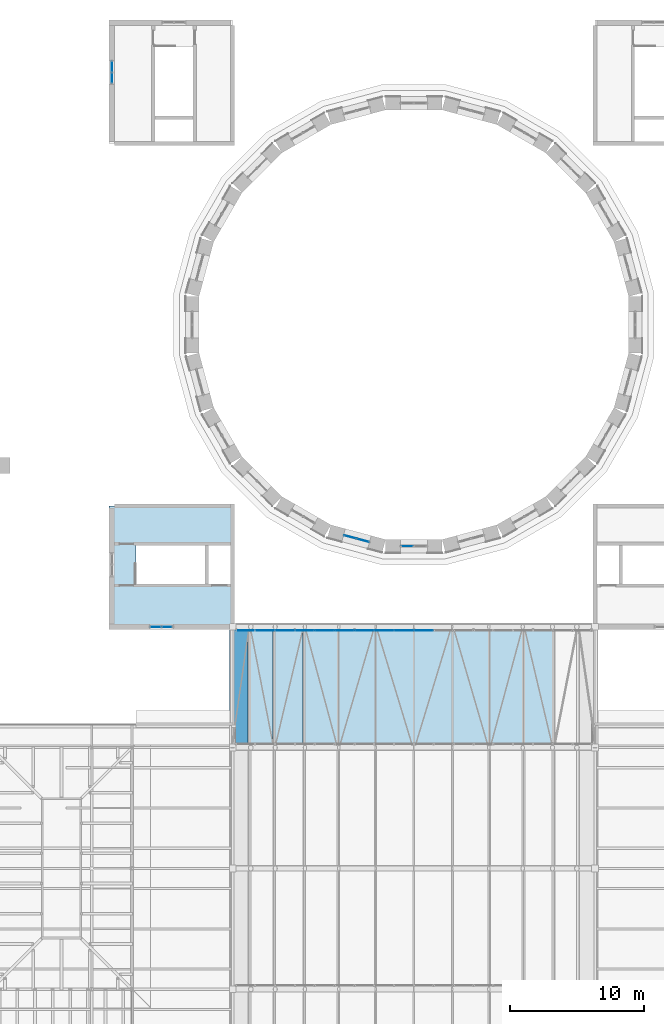
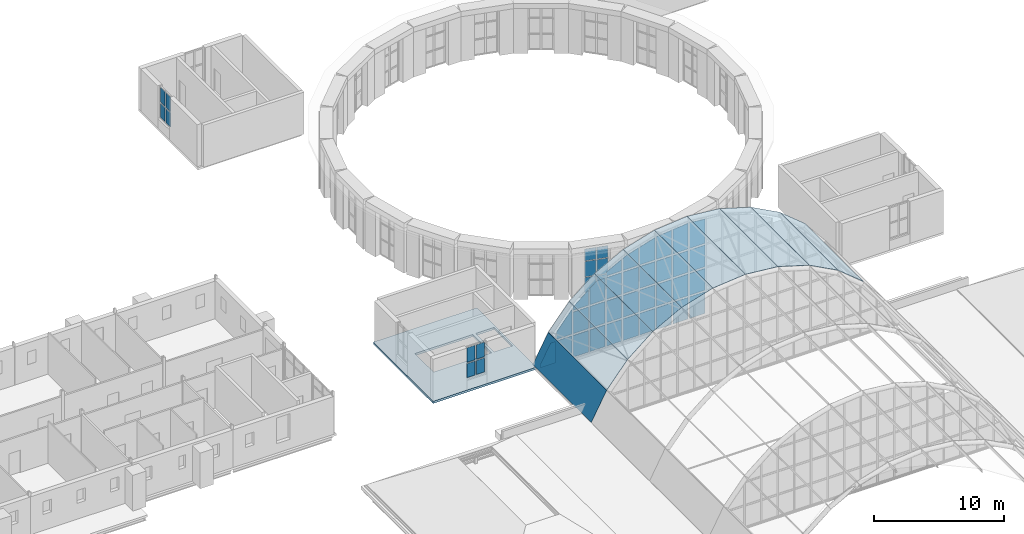
# One storey, part 82 of 121: 58 plates, 1 slab, 5 elements without a shape of their own.
"""IFC4 building model written with IfcOpenShell, lengths in metres."""

from ifc_helpers import new_model, si_unit, direction, frame, origin, origin_2d, place, context, subcontext, project, spatial, polyline, rectangle, outline, extrude, material, layer, layer_set, type_object, element, aggregate, save


model = new_model("IFC4")

# Units and contexts
model_context = context("Model", 3, precision=1e-05, world=origin(), true_north=direction((0.0, 1.0)))
body_context = subcontext(model_context, "Body", "Model", "MODEL_VIEW")
ifc_project = project(units=[si_unit("LENGTHUNIT", "METRE"), si_unit("AREAUNIT", "SQUARE_METRE"), si_unit("VOLUMEUNIT", "CUBIC_METRE"), si_unit("PLANEANGLEUNIT", "RADIAN"), si_unit("MASSUNIT", "GRAM", prefix="KILO")], contexts=[model_context])

# Site, building, storey
site_placement = place(None, origin())
site = spatial("IfcSite", under=ifc_project, at=site_placement, CompositionType="ELEMENT")
building_placement = place(site_placement, origin())
building = spatial("IfcBuilding", under=site, at=building_placement, Name="Golden Quay Civic Hall", CompositionType="ELEMENT")
storey_placement = place(building_placement, frame((0.0, 0.0, 18.60009765625)))
storey = spatial("IfcBuildingStorey", under=building, at=storey_placement, Name="L04", CompositionType="ELEMENT", Elevation=18.60009765625)

# Slab
ifc_material_1 = material(Name="Concrete C35/45", Category="concrete")
ifc_layer_1 = layer(ifc_material_1, 0.199951171875)
ifc_layer_set_1 = layer_set([ifc_layer_1], Name="Composite floor 200")
slab_type = type_object("IfcSlabType", Name="Composite floor 200", PredefinedType="FLOOR", material=ifc_layer_set_1)
slab_placement = place(storey_placement, frame((0.0, 0.0, -0.2001953125)))
element("IfcSlab", 1, at=slab_placement, inside=storey, type_object=slab_type, Name="Slab", PredefinedType="FLOOR", context=body_context, shape_type="SweptSolid", body=[
    extrude(outline(polyline([(72.0, 72.0), (72.0, 62.800048828125), (62.800048828125, 62.800048828125), (62.800048828125, 72.0), (72.0, 72.0)]), holes=[polyline([(69.949951171875, 69.050048828125), (64.804931640625, 69.050048828125), (64.804931640625, 66.199951171875), (69.949951171875, 66.199951171875), (69.949951171875, 69.050048828125)]), polyline([(71.85009765625, 69.050048828125), (70.199951171875, 69.050048828125), (70.199951171875, 66.199951171875), (71.85009765625, 66.199951171875), (71.85009765625, 69.050048828125)])]), origin(), (0.0, 0.0, 1.0), 0.2001953125),
])

# Curtain wall, plates
ifc_material_2 = material(Name="Glass, laminated double glazed", Category="glass")
ifc_layer_2 = layer(ifc_material_2, 0.199951171875)
ifc_layer_set_2 = layer_set([ifc_layer_2], Name="Glazed drum clerestory curtain wall")
curtain_wall_type_1 = type_object("IfcCurtainWallType", Name="Glazed drum clerestory curtain wall", PredefinedType="NOTDEFINED", material=ifc_layer_set_2)
curtain_wall_1_placement = place(storey_placement, origin())
curtain_wall_1 = element("IfcCurtainWall", 2, at=curtain_wall_1_placement, inside=storey, type_object=curtain_wall_type_1, Name="Clerestory curtain wall 17", PredefinedType="NOTDEFINED")
ifc_material_3 = material(Name="Glass, laminated double glazed", Category="glass")
ifc_layer_3 = layer(ifc_material_3, 0.028076171875)
ifc_layer_set_3 = layer_set([ifc_layer_3], Name="Double glazed curtain wall panel 28")
plate_type_1 = type_object("IfcPlateType", Name="Double glazed curtain wall panel 28", PredefinedType="CURTAIN_PANEL", material=ifc_layer_set_3)
plate_1_placement = place(storey_placement, frame((80.760986328125, 69.687744140625, -0.14013671875), z_axis=(0.0, 0.0, 1.0), x_axis=(0.965928857556, -0.258807731996, 0.0)))
plate_1 = element("IfcPlate", 3, at=plate_1_placement, type_object=plate_type_1, Name="CW5 panel 1.1", PredefinedType="CURTAIN_PANEL", context=body_context, shape_type="SweptSolid", body=[
    extrude(rectangle(XDim=0.909912109375, YDim=0.028076171875, at=origin_2d()), origin(), (0.0, 0.0, 1.0), 1.409912109375),
])
plate_2_placement = place(storey_placement, frame((80.760986328125, 69.687744140625, 1.329833984375), z_axis=(0.0, 0.0, 1.0), x_axis=(0.965928857556, -0.258807731996, 0.0)))
plate_2 = element("IfcPlate", 4, at=plate_2_placement, type_object=plate_type_1, Name="CW5 panel 1.2", PredefinedType="CURTAIN_PANEL", context=body_context, shape_type="SweptSolid", body=[
    extrude(rectangle(XDim=0.909912109375, YDim=0.028076171875, at=origin_2d()), origin(), (0.0, 0.0, 1.0), 1.43994140625),
])
plate_3_placement = place(storey_placement, frame((80.760986328125, 69.687744140625, 2.830078125), z_axis=(0.0, 0.0, 1.0), x_axis=(0.965928857556, -0.258807731996, 0.0)))
plate_3 = element("IfcPlate", 5, at=plate_3_placement, type_object=plate_type_1, Name="CW5 panel 1.3", PredefinedType="CURTAIN_PANEL", context=body_context, shape_type="SweptSolid", body=[
    extrude(rectangle(XDim=0.909912109375, YDim=0.028076171875, at=origin_2d()), origin(), (0.0, 0.0, 1.0), 1.110107421875),
])
plate_4_placement = place(storey_placement, frame((81.697998046875, 69.436767578125, -0.14013671875), z_axis=(0.0, 0.0, 1.0), x_axis=(0.965928857556, -0.258807731996, 0.0)))
plate_4 = element("IfcPlate", 6, at=plate_4_placement, type_object=plate_type_1, Name="CW5 panel 2.1", PredefinedType="CURTAIN_PANEL", context=body_context, shape_type="SweptSolid", body=[
    extrude(rectangle(XDim=0.909912109375, YDim=0.028076171875, at=origin_2d()), origin(), (0.0, 0.0, 1.0), 1.409912109375),
])
plate_5_placement = place(storey_placement, frame((81.697998046875, 69.436767578125, 1.329833984375), z_axis=(0.0, 0.0, 1.0), x_axis=(0.965928857556, -0.258807731996, 0.0)))
plate_5 = element("IfcPlate", 7, at=plate_5_placement, type_object=plate_type_1, Name="CW5 panel 2.2", PredefinedType="CURTAIN_PANEL", context=body_context, shape_type="SweptSolid", body=[
    extrude(rectangle(XDim=0.909912109375, YDim=0.028076171875, at=origin_2d()), origin(), (0.0, 0.0, 1.0), 1.43994140625),
])
plate_6_placement = place(storey_placement, frame((81.697998046875, 69.436767578125, 2.830078125), z_axis=(0.0, 0.0, 1.0), x_axis=(0.965928857556, -0.258807731996, 0.0)))
plate_6 = element("IfcPlate", 8, at=plate_6_placement, type_object=plate_type_1, Name="CW5 panel 2.3", PredefinedType="CURTAIN_PANEL", context=body_context, shape_type="SweptSolid", body=[
    extrude(rectangle(XDim=0.909912109375, YDim=0.028076171875, at=origin_2d()), origin(), (0.0, 0.0, 1.0), 1.110107421875),
])
aggregate(curtain_wall_1, [plate_1, plate_2, plate_3, plate_4, plate_5, plate_6])

# Curtain wall, plate
curtain_wall_2_placement = place(storey_placement, origin())
curtain_wall_2 = element("IfcCurtainWall", 9, at=curtain_wall_2_placement, inside=storey, type_object=curtain_wall_type_1, Name="Clerestory curtain wall 18", PredefinedType="NOTDEFINED")
plate_7_placement = place(storey_placement, frame((85.014892578125, 69.0, -0.14013671875), z_axis=(0.0, 0.0, 1.0), x_axis=(1.0, 0.0, 0.0)))
plate_7 = element("IfcPlate", 10, at=plate_7_placement, type_object=plate_type_1, Name="CW5 panel 1.1", PredefinedType="CURTAIN_PANEL", context=body_context, shape_type="SweptSolid", body=[
    extrude(rectangle(XDim=0.909912109375, YDim=0.028076171875, at=origin_2d()), origin(), (0.0, 0.0, 1.0), 1.409912109375),
])
aggregate(curtain_wall_2, [plate_7])

# Curtain wall, plates
ifc_material_4 = material(Name="Fire-resisting glass and steel", Category="steel")
curtain_wall_type_2 = type_object("IfcCurtainWallType", Name="Fire-resisting glazed stair curtain wall EI 120", PredefinedType="NOTDEFINED", material=ifc_material_4)
curtain_wall_3_placement = place(storey_placement, origin())
curtain_wall_3 = element("IfcCurtainWall", 11, at=curtain_wall_3_placement, inside=storey, type_object=curtain_wall_type_2, Name="CW4 stair curtain wall", PredefinedType="NOTDEFINED")
ifc_material_5 = material(Name="Fire-resisting laminated glass", Category="glass")
ifc_layer_4 = layer(ifc_material_5, 0.0400390625)
ifc_layer_set_4 = layer_set([ifc_layer_4], Name="Fire-resisting glazed stair panel 40")
plate_type_2 = type_object("IfcPlateType", Name="Fire-resisting glazed stair panel 40", PredefinedType="CURTAIN_PANEL", material=ifc_layer_set_4)
plate_8_placement = place(storey_placement, frame((66.280029296875, 63.0, 1.02001953125), z_axis=(0.0, 0.0, 1.0), x_axis=(1.0, 0.0, 0.0)))
plate_8 = element("IfcPlate", 12, at=plate_8_placement, type_object=plate_type_2, Name="CW4 panel 1.1", PredefinedType="CURTAIN_PANEL", context=body_context, shape_type="SweptSolid", body=[
    extrude(rectangle(XDim=0.719970703125, YDim=0.0400390625, at=origin_2d()), origin(), (0.0, 0.0, 1.0), 1.320068359375),
])
plate_9_placement = place(storey_placement, frame((66.280029296875, 63.0, 2.4599609375), z_axis=(0.0, 0.0, 1.0), x_axis=(1.0, 0.0, 0.0)))
plate_9 = element("IfcPlate", 13, at=plate_9_placement, type_object=plate_type_2, Name="CW4 panel 1.2", PredefinedType="CURTAIN_PANEL", context=body_context, shape_type="SweptSolid", body=[
    extrude(rectangle(XDim=0.719970703125, YDim=0.0400390625, at=origin_2d()), origin(), (0.0, 0.0, 1.0), 1.3701171875),
])
plate_10_placement = place(storey_placement, frame((67.1201171875, 63.0, 1.02001953125), z_axis=(0.0, 0.0, 1.0), x_axis=(1.0, 0.0, 0.0)))
plate_10 = element("IfcPlate", 14, at=plate_10_placement, type_object=plate_type_2, Name="CW4 panel 2.1", PredefinedType="CURTAIN_PANEL", context=body_context, shape_type="SweptSolid", body=[
    extrude(rectangle(XDim=0.719970703125, YDim=0.0400390625, at=origin_2d()), origin(), (0.0, 0.0, 1.0), 1.320068359375),
])
plate_11_placement = place(storey_placement, frame((67.1201171875, 63.0, 2.4599609375), z_axis=(0.0, 0.0, 1.0), x_axis=(1.0, 0.0, 0.0)))
plate_11 = element("IfcPlate", 15, at=plate_11_placement, type_object=plate_type_2, Name="CW4 panel 2.2", PredefinedType="CURTAIN_PANEL", context=body_context, shape_type="SweptSolid", body=[
    extrude(rectangle(XDim=0.719970703125, YDim=0.0400390625, at=origin_2d()), origin(), (0.0, 0.0, 1.0), 1.3701171875),
])
aggregate(curtain_wall_3, [plate_8, plate_9, plate_10, plate_11])

curtain_wall_4_placement = place(storey_placement, origin())
curtain_wall_4 = element("IfcCurtainWall", 16, at=curtain_wall_4_placement, inside=storey, type_object=curtain_wall_type_2, Name="CW4 stair curtain wall", PredefinedType="NOTDEFINED")
plate_12_placement = place(storey_placement, frame((63.0, 103.8798828125, 1.02001953125), z_axis=(0.0, 0.0, 1.0), x_axis=(0.0, 1.0, 0.0)))
plate_12 = element("IfcPlate", 17, at=plate_12_placement, type_object=plate_type_2, Name="CW4 panel 1.1", PredefinedType="CURTAIN_PANEL", context=body_context, shape_type="SweptSolid", body=[
    extrude(rectangle(XDim=0.719970703125, YDim=0.0400390625, at=origin_2d()), origin(), (0.0, 0.0, 1.0), 1.320068359375),
])
plate_13_placement = place(storey_placement, frame((63.0, 103.8798828125, 2.4599609375), z_axis=(0.0, 0.0, 1.0), x_axis=(0.0, 1.0, 0.0)))
plate_13 = element("IfcPlate", 18, at=plate_13_placement, type_object=plate_type_2, Name="CW4 panel 1.2", PredefinedType="CURTAIN_PANEL", context=body_context, shape_type="SweptSolid", body=[
    extrude(rectangle(XDim=0.719970703125, YDim=0.0400390625, at=origin_2d()), origin(), (0.0, 0.0, 1.0), 1.3701171875),
])
plate_14_placement = place(storey_placement, frame((63.0, 104.719970703125, 1.02001953125), z_axis=(0.0, 0.0, 1.0), x_axis=(0.0, 1.0, 0.0)))
plate_14 = element("IfcPlate", 19, at=plate_14_placement, type_object=plate_type_2, Name="CW4 panel 2.1", PredefinedType="CURTAIN_PANEL", context=body_context, shape_type="SweptSolid", body=[
    extrude(rectangle(XDim=0.719970703125, YDim=0.0400390625, at=origin_2d()), origin(), (0.0, 0.0, 1.0), 1.320068359375),
])
plate_15_placement = place(storey_placement, frame((63.0, 104.719970703125, 2.4599609375), z_axis=(0.0, 0.0, 1.0), x_axis=(0.0, 1.0, 0.0)))
plate_15 = element("IfcPlate", 20, at=plate_15_placement, type_object=plate_type_2, Name="CW4 panel 2.2", PredefinedType="CURTAIN_PANEL", context=body_context, shape_type="SweptSolid", body=[
    extrude(rectangle(XDim=0.719970703125, YDim=0.0400390625, at=origin_2d()), origin(), (0.0, 0.0, 1.0), 1.3701171875),
])
aggregate(curtain_wall_4, [plate_12, plate_13, plate_14, plate_15])

ifc_material_6 = material(Name="Glass and aluminium", Category="aluminium")
curtain_wall_type_3 = type_object("IfcCurtainWallType", Name="Glazed curtain wall 1500 module", PredefinedType="NOTDEFINED", material=ifc_material_6)
curtain_wall_5_placement = place(storey_placement, origin())
curtain_wall_5 = element("IfcCurtainWall", 21, at=curtain_wall_5_placement, inside=storey, type_object=curtain_wall_type_3, Name="Curtain wall tympanum north", PredefinedType="NOTDEFINED")
ifc_material_7 = material(Name="Laminated glass", Category="glass")
ifc_layer_5 = layer(ifc_material_7, 0.028076171875)
ifc_layer_set_5 = layer_set([ifc_layer_5], Name="Laminated glass panel 28")
plate_type_3 = type_object("IfcPlateType", Name="Laminated glass panel 28", PredefinedType="CURTAIN_PANEL", material=ifc_layer_set_5)
plate_16_placement = place(storey_placement, frame((73.61767578125, 62.743896484375, -0.130126953125), z_axis=(0.0, 1.0, 0.0), x_axis=(-1.0, 0.0, 0.0)))
plate_16 = element("IfcPlate", 22, at=plate_16_placement, type_object=plate_type_3, Name="Tympanum glass 1.1", PredefinedType="CURTAIN_PANEL", context=body_context, shape_type="SweptSolid", body=[
    extrude(outline(polyline([(0.0, 0.0), (1.297607421875, 0.0), (1.297607421875, 0.37646484375), (0.4150390625, 2.02001953125), (0.0, 2.02001953125), (0.0, 0.0)])), origin(), (0.0, 0.0, -1.0), 0.028076171875),
])
plate_17_placement = place(storey_placement, frame((75.095458984375, 62.743896484375, -0.130126953125), z_axis=(0.0, 1.0, 0.0), x_axis=(-1.0, 0.0, 0.0)))
plate_17 = element("IfcPlate", 23, at=plate_17_placement, type_object=plate_type_3, Name="Tympanum glass 2.1", PredefinedType="CURTAIN_PANEL", context=body_context, shape_type="SweptSolid", body=[
    extrude(outline(polyline([(0.0, 0.0), (1.357666015625, 0.0), (1.357666015625, 2.02001953125), (0.0, 2.02001953125), (0.0, 0.0)])), origin(), (0.0, 0.0, -1.0), 0.028076171875),
])
plate_18_placement = place(storey_placement, frame((75.095458984375, 62.743896484375, 2.06982421875), z_axis=(0.0, 1.0, 0.0), x_axis=(-1.0, 0.0, 0.0)))
plate_18 = element("IfcPlate", 24, at=plate_18_placement, type_object=plate_type_3, Name="Tympanum glass 2.2", PredefinedType="CURTAIN_PANEL", context=body_context, shape_type="SweptSolid", body=[
    extrude(outline(polyline([(0.0, 0.0), (1.357666015625, 0.0), (1.357666015625, 0.677978515625), (0.0, 2.3271484375), (0.0, 0.0)])), origin(), (0.0, 0.0, -1.0), 0.028076171875),
])
plate_19_placement = place(storey_placement, frame((76.5732421875, 62.743896484375, -0.130126953125), z_axis=(0.0, 1.0, 0.0), x_axis=(-1.0, 0.0, 0.0)))
plate_19 = element("IfcPlate", 25, at=plate_19_placement, type_object=plate_type_3, Name="Tympanum glass 3.1", PredefinedType="CURTAIN_PANEL", context=body_context, shape_type="SweptSolid", body=[
    extrude(outline(polyline([(0.0, 0.0), (1.357666015625, 0.0), (1.357666015625, 2.02001953125), (0.0, 2.02001953125), (0.0, 0.0)])), origin(), (0.0, 0.0, -1.0), 0.028076171875),
])
plate_20_placement = place(storey_placement, frame((76.5732421875, 62.743896484375, 2.06982421875), z_axis=(0.0, 1.0, 0.0), x_axis=(-1.0, 0.0, 0.0)))
plate_20 = element("IfcPlate", 26, at=plate_20_placement, type_object=plate_type_3, Name="Tympanum glass 3.2", PredefinedType="CURTAIN_PANEL", context=body_context, shape_type="SweptSolid", body=[
    extrude(outline(polyline([(0.0, 0.0), (1.357666015625, 0.0), (1.357666015625, 2.02001953125), (0.0, 2.02001953125), (0.0, 0.0)])), origin(), (0.0, 0.0, -1.0), 0.028076171875),
])
plate_21_placement = place(storey_placement, frame((76.5732421875, 62.743896484375, 4.27001953125), z_axis=(0.0, 1.0, 0.0), x_axis=(-1.0, 0.0, 0.0)))
plate_21 = element("IfcPlate", 27, at=plate_21_placement, type_object=plate_type_3, Name="Tympanum glass 3.3", PredefinedType="CURTAIN_PANEL", context=body_context, shape_type="SweptSolid", body=[
    extrude(outline(polyline([(0.0, 0.0), (1.357666015625, 0.0), (1.357666015625, 0.31298828125), (0.0, 1.424560546875), (0.0, 0.0)])), origin(), (0.0, 0.0, -1.0), 0.028076171875),
])
plate_22_placement = place(storey_placement, frame((78.051025390625, 62.743896484375, -0.130126953125), z_axis=(0.0, 1.0, 0.0), x_axis=(-1.0, 0.0, 0.0)))
plate_22 = element("IfcPlate", 28, at=plate_22_placement, type_object=plate_type_3, Name="Tympanum glass 4.1", PredefinedType="CURTAIN_PANEL", context=body_context, shape_type="SweptSolid", body=[
    extrude(outline(polyline([(0.0, 0.0), (1.357666015625, 0.0), (1.357666015625, 2.02001953125), (0.0, 2.02001953125), (0.0, 0.0)])), origin(), (0.0, 0.0, -1.0), 0.028076171875),
])
plate_23_placement = place(storey_placement, frame((78.051025390625, 62.743896484375, 2.06982421875), z_axis=(0.0, 1.0, 0.0), x_axis=(-1.0, 0.0, 0.0)))
plate_23 = element("IfcPlate", 29, at=plate_23_placement, type_object=plate_type_3, Name="Tympanum glass 4.2", PredefinedType="CURTAIN_PANEL", context=body_context, shape_type="SweptSolid", body=[
    extrude(outline(polyline([(0.0, 0.0), (1.357666015625, 0.0), (1.357666015625, 2.02001953125), (0.0, 2.02001953125), (0.0, 0.0)])), origin(), (0.0, 0.0, -1.0), 0.028076171875),
])
plate_24_placement = place(storey_placement, frame((78.051025390625, 62.743896484375, 4.27001953125), z_axis=(0.0, 1.0, 0.0), x_axis=(-1.0, 0.0, 0.0)))
plate_24 = element("IfcPlate", 30, at=plate_24_placement, type_object=plate_type_3, Name="Tympanum glass 4.3", PredefinedType="CURTAIN_PANEL", context=body_context, shape_type="SweptSolid", body=[
    extrude(outline(polyline([(0.0, 0.0), (1.357666015625, 0.0), (1.357666015625, 1.522705078125), (0.75048828125, 2.019775390625), (0.0, 2.019775390625), (0.0, 0.0)])), origin(), (0.0, 0.0, -1.0), 0.028076171875),
])
plate_25_placement = place(storey_placement, frame((79.52880859375, 62.743896484375, -0.130126953125), z_axis=(0.0, 1.0, 0.0), x_axis=(-1.0, 0.0, 0.0)))
plate_25 = element("IfcPlate", 31, at=plate_25_placement, type_object=plate_type_3, Name="Tympanum glass 5.1", PredefinedType="CURTAIN_PANEL", context=body_context, shape_type="SweptSolid", body=[
    extrude(outline(polyline([(0.0, 0.0), (1.357666015625, 0.0), (1.357666015625, 2.02001953125), (0.0, 2.02001953125), (0.0, 0.0)])), origin(), (0.0, 0.0, -1.0), 0.028076171875),
])
plate_26_placement = place(storey_placement, frame((79.52880859375, 62.743896484375, 2.06982421875), z_axis=(0.0, 1.0, 0.0), x_axis=(-1.0, 0.0, 0.0)))
plate_26 = element("IfcPlate", 32, at=plate_26_placement, type_object=plate_type_3, Name="Tympanum glass 5.2", PredefinedType="CURTAIN_PANEL", context=body_context, shape_type="SweptSolid", body=[
    extrude(outline(polyline([(0.0, 0.0), (1.357666015625, 0.0), (1.357666015625, 2.02001953125), (0.0, 2.02001953125), (0.0, 0.0)])), origin(), (0.0, 0.0, -1.0), 0.028076171875),
])
plate_27_placement = place(storey_placement, frame((79.52880859375, 62.743896484375, 4.27001953125), z_axis=(0.0, 1.0, 0.0), x_axis=(-1.0, 0.0, 0.0)))
plate_27 = element("IfcPlate", 33, at=plate_27_placement, type_object=plate_type_3, Name="Tympanum glass 5.3", PredefinedType="CURTAIN_PANEL", context=body_context, shape_type="SweptSolid", body=[
    extrude(outline(polyline([(0.0, 0.0), (1.357666015625, 0.0), (1.357666015625, 2.019775390625), (0.0, 2.019775390625), (0.0, 0.0)])), origin(), (0.0, 0.0, -1.0), 0.028076171875),
])
plate_28_placement = place(storey_placement, frame((79.52880859375, 62.743896484375, 6.469970703125), z_axis=(0.0, 1.0, 0.0), x_axis=(-1.0, 0.0, 0.0)))
plate_28 = element("IfcPlate", 34, at=plate_28_placement, type_object=plate_type_3, Name="Tympanum glass 5.4", PredefinedType="CURTAIN_PANEL", context=body_context, shape_type="SweptSolid", body=[
    extrude(outline(polyline([(0.0, 0.0), (1.357666015625, 0.0), (1.357666015625, 0.34130859375), (0.0, 1.065673828125), (0.0, 0.0)])), origin(), (0.0, 0.0, -1.0), 0.028076171875),
])
plate_29_placement = place(storey_placement, frame((81.006591796875, 62.743896484375, -0.130126953125), z_axis=(0.0, 1.0, 0.0), x_axis=(-1.0, 0.0, 0.0)))
plate_29 = element("IfcPlate", 35, at=plate_29_placement, type_object=plate_type_3, Name="Tympanum glass 6.1", PredefinedType="CURTAIN_PANEL", context=body_context, shape_type="SweptSolid", body=[
    extrude(outline(polyline([(0.0, 0.0), (1.357666015625, 0.0), (1.357666015625, 2.02001953125), (0.0, 2.02001953125), (0.0, 0.0)])), origin(), (0.0, 0.0, -1.0), 0.028076171875),
])
plate_30_placement = place(storey_placement, frame((81.006591796875, 62.743896484375, 2.06982421875), z_axis=(0.0, 1.0, 0.0), x_axis=(-1.0, 0.0, 0.0)))
plate_30 = element("IfcPlate", 36, at=plate_30_placement, type_object=plate_type_3, Name="Tympanum glass 6.2", PredefinedType="CURTAIN_PANEL", context=body_context, shape_type="SweptSolid", body=[
    extrude(outline(polyline([(0.0, 0.0), (1.357666015625, 0.0), (1.357666015625, 2.02001953125), (0.0, 2.02001953125), (0.0, 0.0)])), origin(), (0.0, 0.0, -1.0), 0.028076171875),
])
plate_31_placement = place(storey_placement, frame((81.006591796875, 62.743896484375, 4.27001953125), z_axis=(0.0, 1.0, 0.0), x_axis=(-1.0, 0.0, 0.0)))
plate_31 = element("IfcPlate", 37, at=plate_31_placement, type_object=plate_type_3, Name="Tympanum glass 6.3", PredefinedType="CURTAIN_PANEL", context=body_context, shape_type="SweptSolid", body=[
    extrude(outline(polyline([(0.0, 0.0), (1.357666015625, 0.0), (1.357666015625, 2.019775390625), (0.0, 2.019775390625), (0.0, 0.0)])), origin(), (0.0, 0.0, -1.0), 0.028076171875),
])
plate_32_placement = place(storey_placement, frame((81.006591796875, 62.743896484375, 6.469970703125), z_axis=(0.0, 1.0, 0.0), x_axis=(-1.0, 0.0, 0.0)))
plate_32 = element("IfcPlate", 38, at=plate_32_placement, type_object=plate_type_3, Name="Tympanum glass 6.4", PredefinedType="CURTAIN_PANEL", context=body_context, shape_type="SweptSolid", body=[
    extrude(outline(polyline([(0.0, 0.0), (1.357666015625, 0.0), (1.357666015625, 1.129638671875), (1.093994140625, 1.270263671875), (0.0, 1.619384765625), (0.0, 0.0)])), origin(), (0.0, 0.0, -1.0), 0.028076171875),
])
plate_33_placement = place(storey_placement, frame((82.484375, 62.743896484375, -0.130126953125), z_axis=(0.0, 1.0, 0.0), x_axis=(-1.0, 0.0, 0.0)))
plate_33 = element("IfcPlate", 39, at=plate_33_placement, type_object=plate_type_3, Name="Tympanum glass 7.1", PredefinedType="CURTAIN_PANEL", context=body_context, shape_type="SweptSolid", body=[
    extrude(outline(polyline([(0.0, 0.0), (1.357666015625, 0.0), (1.357666015625, 2.02001953125), (0.0, 2.02001953125), (0.0, 0.0)])), origin(), (0.0, 0.0, -1.0), 0.028076171875),
])
plate_34_placement = place(storey_placement, frame((82.484375, 62.743896484375, 2.06982421875), z_axis=(0.0, 1.0, 0.0), x_axis=(-1.0, 0.0, 0.0)))
plate_34 = element("IfcPlate", 40, at=plate_34_placement, type_object=plate_type_3, Name="Tympanum glass 7.2", PredefinedType="CURTAIN_PANEL", context=body_context, shape_type="SweptSolid", body=[
    extrude(outline(polyline([(0.0, 0.0), (1.357666015625, 0.0), (1.357666015625, 2.02001953125), (0.0, 2.02001953125), (0.0, 0.0)])), origin(), (0.0, 0.0, -1.0), 0.028076171875),
])
plate_35_placement = place(storey_placement, frame((82.484375, 62.743896484375, 4.27001953125), z_axis=(0.0, 1.0, 0.0), x_axis=(-1.0, 0.0, 0.0)))
plate_35 = element("IfcPlate", 41, at=plate_35_placement, type_object=plate_type_3, Name="Tympanum glass 7.3", PredefinedType="CURTAIN_PANEL", context=body_context, shape_type="SweptSolid", body=[
    extrude(outline(polyline([(0.0, 0.0), (1.357666015625, 0.0), (1.357666015625, 2.019775390625), (0.0, 2.019775390625), (0.0, 0.0)])), origin(), (0.0, 0.0, -1.0), 0.028076171875),
])
plate_36_placement = place(storey_placement, frame((82.484375, 62.743896484375, 6.469970703125), z_axis=(0.0, 1.0, 0.0), x_axis=(-1.0, 0.0, 0.0)))
plate_36 = element("IfcPlate", 42, at=plate_36_placement, type_object=plate_type_3, Name="Tympanum glass 7.4", PredefinedType="CURTAIN_PANEL", context=body_context, shape_type="SweptSolid", body=[
    extrude(outline(polyline([(0.0, 0.0), (1.357666015625, 0.0), (1.357666015625, 1.65576171875), (0.0, 2.06689453125), (0.0, 0.0)])), origin(), (0.0, 0.0, -1.0), 0.028076171875),
])
plate_37_placement = place(storey_placement, frame((83.962158203125, 62.743896484375, -0.130126953125), z_axis=(0.0, 1.0, 0.0), x_axis=(-1.0, 0.0, 0.0)))
plate_37 = element("IfcPlate", 43, at=plate_37_placement, type_object=plate_type_3, Name="Tympanum glass 8.1", PredefinedType="CURTAIN_PANEL", context=body_context, shape_type="SweptSolid", body=[
    extrude(outline(polyline([(0.0, 0.0), (1.357666015625, 0.0), (1.357666015625, 2.02001953125), (0.0, 2.02001953125), (0.0, 0.0)])), origin(), (0.0, 0.0, -1.0), 0.028076171875),
])
plate_38_placement = place(storey_placement, frame((83.962158203125, 62.743896484375, 2.06982421875), z_axis=(0.0, 1.0, 0.0), x_axis=(-1.0, 0.0, 0.0)))
plate_38 = element("IfcPlate", 44, at=plate_38_placement, type_object=plate_type_3, Name="Tympanum glass 8.2", PredefinedType="CURTAIN_PANEL", context=body_context, shape_type="SweptSolid", body=[
    extrude(outline(polyline([(0.0, 0.0), (1.357666015625, 0.0), (1.357666015625, 2.02001953125), (0.0, 2.02001953125), (0.0, 0.0)])), origin(), (0.0, 0.0, -1.0), 0.028076171875),
])
plate_39_placement = place(storey_placement, frame((83.962158203125, 62.743896484375, 4.27001953125), z_axis=(0.0, 1.0, 0.0), x_axis=(-1.0, 0.0, 0.0)))
plate_39 = element("IfcPlate", 45, at=plate_39_placement, type_object=plate_type_3, Name="Tympanum glass 8.3", PredefinedType="CURTAIN_PANEL", context=body_context, shape_type="SweptSolid", body=[
    extrude(outline(polyline([(0.0, 0.0), (1.357666015625, 0.0), (1.357666015625, 2.019775390625), (0.0, 2.019775390625), (0.0, 0.0)])), origin(), (0.0, 0.0, -1.0), 0.028076171875),
])
plate_40_placement = place(storey_placement, frame((83.962158203125, 62.743896484375, 6.469970703125), z_axis=(0.0, 1.0, 0.0), x_axis=(-1.0, 0.0, 0.0)))
plate_40 = element("IfcPlate", 46, at=plate_40_placement, type_object=plate_type_3, Name="Tympanum glass 8.4", PredefinedType="CURTAIN_PANEL", context=body_context, shape_type="SweptSolid", body=[
    extrude(outline(polyline([(0.0, 0.0), (1.357666015625, 0.0), (1.357666015625, 2.103271484375), (1.310302734375, 2.11767578125), (0.0, 2.254638671875), (0.0, 0.0)])), origin(), (0.0, 0.0, -1.0), 0.028076171875),
])
plate_41_placement = place(storey_placement, frame((85.43994140625, 62.743896484375, -0.130126953125), z_axis=(0.0, 1.0, 0.0), x_axis=(-1.0, 0.0, 0.0)))
plate_41 = element("IfcPlate", 47, at=plate_41_placement, type_object=plate_type_3, Name="Tympanum glass 9.1", PredefinedType="CURTAIN_PANEL", context=body_context, shape_type="SweptSolid", body=[
    extrude(outline(polyline([(0.0, 0.0), (1.357666015625, 0.0), (1.357666015625, 2.02001953125), (0.0, 2.02001953125), (0.0, 0.0)])), origin(), (0.0, 0.0, -1.0), 0.028076171875),
])
plate_42_placement = place(storey_placement, frame((85.43994140625, 62.743896484375, 2.06982421875), z_axis=(0.0, 1.0, 0.0), x_axis=(-1.0, 0.0, 0.0)))
plate_42 = element("IfcPlate", 48, at=plate_42_placement, type_object=plate_type_3, Name="Tympanum glass 9.2", PredefinedType="CURTAIN_PANEL", context=body_context, shape_type="SweptSolid", body=[
    extrude(outline(polyline([(0.0, 0.0), (1.357666015625, 0.0), (1.357666015625, 2.02001953125), (0.0, 2.02001953125), (0.0, 0.0)])), origin(), (0.0, 0.0, -1.0), 0.028076171875),
])
plate_43_placement = place(storey_placement, frame((85.43994140625, 62.743896484375, 4.27001953125), z_axis=(0.0, 1.0, 0.0), x_axis=(-1.0, 0.0, 0.0)))
plate_43 = element("IfcPlate", 49, at=plate_43_placement, type_object=plate_type_3, Name="Tympanum glass 9.3", PredefinedType="CURTAIN_PANEL", context=body_context, shape_type="SweptSolid", body=[
    extrude(outline(polyline([(0.0, 0.0), (1.357666015625, 0.0), (1.357666015625, 2.019775390625), (0.0, 2.019775390625), (0.0, 0.0)])), origin(), (0.0, 0.0, -1.0), 0.028076171875),
])
plate_44_placement = place(storey_placement, frame((85.43994140625, 62.743896484375, 6.469970703125), z_axis=(0.0, 1.0, 0.0), x_axis=(-1.0, 0.0, 0.0)))
plate_44 = element("IfcPlate", 50, at=plate_44_placement, type_object=plate_type_3, Name="Tympanum glass 9.4", PredefinedType="CURTAIN_PANEL", context=body_context, shape_type="SweptSolid", body=[
    extrude(outline(polyline([(0.0, 0.0), (1.357666015625, 0.0), (1.357666015625, 2.266357421875), (0.0, 2.39990234375), (0.0, 0.0)])), origin(), (0.0, 0.0, -1.0), 0.028076171875),
])
plate_45_placement = place(storey_placement, frame((86.917724609375, 62.743896484375, -0.130126953125), z_axis=(0.0, 1.0, 0.0), x_axis=(-1.0, 0.0, 0.0)))
plate_45 = element("IfcPlate", 51, at=plate_45_placement, type_object=plate_type_3, Name="Tympanum glass 10.1", PredefinedType="CURTAIN_PANEL", context=body_context, shape_type="SweptSolid", body=[
    extrude(outline(polyline([(0.0, 0.0), (1.357666015625, 0.0), (1.357666015625, 2.02001953125), (0.0, 2.02001953125), (0.0, 0.0)])), origin(), (0.0, 0.0, -1.0), 0.028076171875),
])
plate_46_placement = place(storey_placement, frame((86.917724609375, 62.743896484375, 2.06982421875), z_axis=(0.0, 1.0, 0.0), x_axis=(-1.0, 0.0, 0.0)))
plate_46 = element("IfcPlate", 52, at=plate_46_placement, type_object=plate_type_3, Name="Tympanum glass 10.2", PredefinedType="CURTAIN_PANEL", context=body_context, shape_type="SweptSolid", body=[
    extrude(outline(polyline([(0.0, 0.0), (1.357666015625, 0.0), (1.357666015625, 2.02001953125), (0.0, 2.02001953125), (0.0, 0.0)])), origin(), (0.0, 0.0, -1.0), 0.028076171875),
])
plate_47_placement = place(storey_placement, frame((86.917724609375, 62.743896484375, 4.27001953125), z_axis=(0.0, 1.0, 0.0), x_axis=(-1.0, 0.0, 0.0)))
plate_47 = element("IfcPlate", 53, at=plate_47_placement, type_object=plate_type_3, Name="Tympanum glass 10.3", PredefinedType="CURTAIN_PANEL", context=body_context, shape_type="SweptSolid", body=[
    extrude(outline(polyline([(0.0, 0.0), (1.357666015625, 0.0), (1.357666015625, 2.019775390625), (0.0, 2.019775390625), (0.0, 0.0)])), origin(), (0.0, 0.0, -1.0), 0.028076171875),
])
plate_48_placement = place(storey_placement, frame((86.917724609375, 62.743896484375, 6.469970703125), z_axis=(0.0, 1.0, 0.0), x_axis=(-1.0, 0.0, 0.0)))
plate_48 = element("IfcPlate", 54, at=plate_48_placement, type_object=plate_type_3, Name="Tympanum glass 10.4", PredefinedType="CURTAIN_PANEL", context=body_context, shape_type="SweptSolid", body=[
    extrude(outline(polyline([(0.0, 0.0), (1.357666015625, 0.0), (1.357666015625, 2.39990234375), (0.0, 2.266357421875), (0.0, 0.0)])), origin(), (0.0, 0.0, -1.0), 0.028076171875),
])
aggregate(curtain_wall_5, [plate_16, plate_17, plate_18, plate_19, plate_20, plate_21, plate_22, plate_23, plate_24, plate_25, plate_26, plate_27, plate_28, plate_29, plate_30, plate_31, plate_32, plate_33, plate_34, plate_35, plate_36, plate_37, plate_38, plate_39, plate_40, plate_41, plate_42, plate_43, plate_44, plate_45, plate_46, plate_47, plate_48])

# Plates
ifc_material_8 = material(Name="Laminated glass", Category="glass")
ifc_layer_6 = layer(ifc_material_8, 0.030029296875)
ifc_layer_set_6 = layer_set([ifc_layer_6], Name="Laminated vault glazing 30")
plate_type_4 = type_object("IfcPlateType", Name="Laminated vault glazing 30", PredefinedType="SHEET", material=ifc_layer_set_6)
plate_49_placement = place(storey_placement, frame((71.78564453125, 54.0, 0.1923828125), z_axis=(-0.881024300134, 0.0, 0.47307101219), x_axis=(0.47307101219, 0.0, 0.881024300134)))
element("IfcPlate", 55, at=plate_49_placement, inside=storey, type_object=plate_type_4, Name="Vault glazing 7.1", PredefinedType="SHEET", context=body_context, shape_type="SweptSolid", body=[
    extrude(outline(polyline([(0.0, 0.0), (2.9018956964211977, 0.0), (2.9018956964211977, 9.0), (0.0, 9.0), (0.0, 0.0)])), origin(), (0.0, 0.0, -1.0), 0.030029296875),
])
plate_50_placement = place(storey_placement, frame((73.16162109375, 54.0, 2.75390625), z_axis=(-0.7720006594, 0.0, 0.635621728614), x_axis=(0.635621728614, 0.0, 0.7720006594)))
element("IfcPlate", 56, at=plate_50_placement, inside=storey, type_object=plate_type_4, Name="Vault glazing 7.2", PredefinedType="SHEET", context=body_context, shape_type="SweptSolid", body=[
    extrude(outline(polyline([(0.0, 0.0), (2.901855520100459, 0.0), (2.901855520100459, 9.0), (0.0, 9.0), (0.0, 0.0)])), origin(), (0.0, 0.0, -1.0), 0.030029296875),
])
plate_51_placement = place(storey_placement, frame((75.01025390625, 54.0, 4.998291015625), z_axis=(-0.633448519494, 0.0, 0.77378483647), x_axis=(0.77378483647, 0.0, 0.633448519494)))
element("IfcPlate", 57, at=plate_51_placement, inside=storey, type_object=plate_type_4, Name="Vault glazing 7.3", PredefinedType="SHEET", context=body_context, shape_type="SweptSolid", body=[
    extrude(outline(polyline([(0.0, 0.0), (2.901790294014807, 0.0), (2.901790294014807, 9.0), (0.0, 9.0), (0.0, 0.0)])), origin(), (0.0, 0.0, -1.0), 0.030029296875),
])
plate_52_placement = place(storey_placement, frame((77.260498046875, 54.0, 6.839599609375), z_axis=(-0.470649370087, 0.0, 0.882320333233), x_axis=(0.882320333233, 0.0, 0.470649370087)))
element("IfcPlate", 58, at=plate_52_placement, inside=storey, type_object=plate_type_4, Name="Vault glazing 7.4", PredefinedType="SHEET", context=body_context, shape_type="SweptSolid", body=[
    extrude(outline(polyline([(0.0, 0.0), (2.901783669649179, 0.0), (2.901783669649179, 9.0), (0.0, 9.0), (0.0, 0.0)])), origin(), (0.0, 0.0, -1.0), 0.030029296875),
])
plate_53_placement = place(storey_placement, frame((79.826171875, 54.0, 8.20751953125), z_axis=(-0.289755197495, 0.0, 0.957100791727), x_axis=(0.957100791727, 0.0, 0.289755197495)))
element("IfcPlate", 59, at=plate_53_placement, inside=storey, type_object=plate_type_4, Name="Vault glazing 7.5", PredefinedType="SHEET", context=body_context, shape_type="SweptSolid", body=[
    extrude(outline(polyline([(0.0, 0.0), (2.9018299577295465, 0.0), (2.9018299577295465, 9.0), (0.0, 9.0), (0.0, 0.0)])), origin(), (0.0, 0.0, -1.0), 0.030029296875),
])
for number, where, z_axis, x_axis, name in (
    (60, (82.609130859375, 54.0, 9.049560546875), (-0.09784592374, 0.0, 0.995201575163), (0.995201575163, 0.0, 0.09784592374), "Vault glazing 7.6"),
    (61, (85.5029296875, 54.0, 9.33349609375), (0.09784592374, 0.0, 0.995201575163), (0.995201575163, 0.0, -0.09784592374), "Vault glazing 7.7"),
):
    element("IfcPlate", number, at=place(storey_placement, frame(where, z_axis=z_axis, x_axis=x_axis)), inside=storey, type_object=plate_type_4, Name=name, PredefinedType="SHEET", context=body_context, shape_type="SweptSolid", body=[
        extrude(outline(polyline([(0.0, 0.0), (2.901863828592777, 0.0), (2.901863828592777, 9.0), (0.0, 9.0), (0.0, 0.0)])), origin(), (0.0, 0.0, -1.0), 0.030029296875),
    ])
plate_54_placement = place(storey_placement, frame((88.396484375, 54.0, 9.04833984375), z_axis=(0.289755197495, 0.0, 0.957100791727), x_axis=(0.957100791727, 0.0, -0.289755197495)))
element("IfcPlate", 62, at=plate_54_placement, inside=storey, type_object=plate_type_4, Name="Vault glazing 7.8", PredefinedType="SHEET", context=body_context, shape_type="SweptSolid", body=[
    extrude(outline(polyline([(0.0, 0.0), (2.9018299577295465, 0.0), (2.9018299577295465, 9.0), (0.0, 9.0), (0.0, 0.0)])), origin(), (0.0, 0.0, -1.0), 0.030029296875),
])
plate_55_placement = place(storey_placement, frame((91.17919921875, 54.0, 8.205322265625), z_axis=(0.470649370087, 0.0, 0.882320333233), x_axis=(0.882320333233, 0.0, -0.470649370087)))
element("IfcPlate", 63, at=plate_55_placement, inside=storey, type_object=plate_type_4, Name="Vault glazing 7.9", PredefinedType="SHEET", context=body_context, shape_type="SweptSolid", body=[
    extrude(outline(polyline([(0.0, 0.0), (2.901783669649179, 0.0), (2.901783669649179, 9.0), (0.0, 9.0), (0.0, 0.0)])), origin(), (0.0, 0.0, -1.0), 0.030029296875),
])
plate_56_placement = place(storey_placement, frame((93.744384765625, 54.0, 6.83642578125), z_axis=(0.633448519494, 0.0, 0.77378483647), x_axis=(0.77378483647, 0.0, -0.633448519494)))
element("IfcPlate", 64, at=plate_56_placement, inside=storey, type_object=plate_type_4, Name="Vault glazing 7.10", PredefinedType="SHEET", context=body_context, shape_type="SweptSolid", body=[
    extrude(outline(polyline([(0.0, 0.0), (2.901790294014807, 0.0), (2.901790294014807, 9.0), (0.0, 9.0), (0.0, 0.0)])), origin(), (0.0, 0.0, -1.0), 0.030029296875),
])

save(model, "model.ifc")
